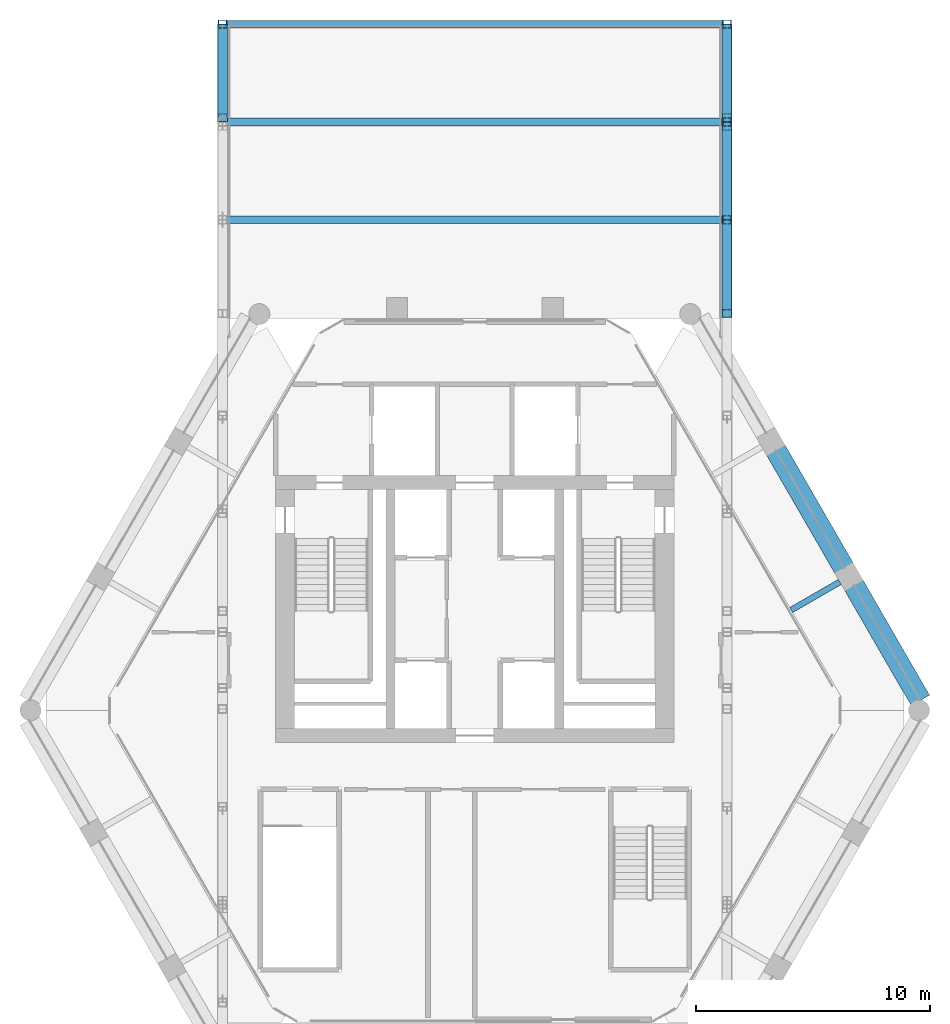
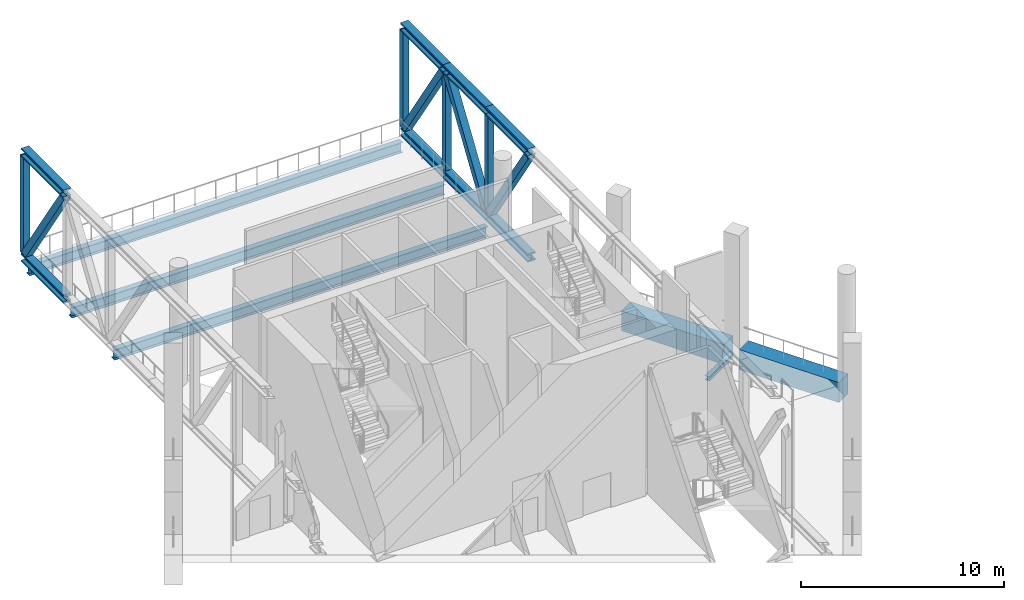
# One storey, part 4 of 14: 16 members, 6 beams.
"""IFC4 building model written with IfcOpenShell, lengths in metres."""

from ifc_helpers import new_model, si_unit, direction, frame, origin, origin_2d, place, context, subcontext, project, spatial, rectangle, hollow_rectangle, i_section, extrude, material, material_profile, profile_set, type_object, element, save


model = new_model("IFC4")

# Units and contexts
model_context = context("Model", 3, precision=1e-05, world=origin(), true_north=direction((0.0, 1.0)))
body_context = subcontext(model_context, "Body", "Model", "MODEL_VIEW")
ifc_project = project(units=[si_unit("LENGTHUNIT", "METRE"), si_unit("AREAUNIT", "SQUARE_METRE"), si_unit("VOLUMEUNIT", "CUBIC_METRE"), si_unit("PLANEANGLEUNIT", "RADIAN"), si_unit("MASSUNIT", "GRAM", prefix="KILO")], contexts=[model_context])

# Site, building, storey
site_placement = place(None, origin())
site = spatial("IfcSite", under=ifc_project, at=site_placement, CompositionType="ELEMENT")
building_placement = place(site_placement, origin())
building = spatial("IfcBuilding", under=site, at=building_placement, Name="Ostrander Bayou Hotel Tower", CompositionType="ELEMENT")
storey_placement = place(building_placement, frame((0.0, 0.0, 237.0)))
storey = spatial("IfcBuildingStorey", under=building, at=storey_placement, Name="L59", CompositionType="ELEMENT", Elevation=237.0)

# Beams
ifc_material_1 = material(Name="Steel ASTM A992", Category="steel")
ifc_material_profile_1 = material_profile(ifc_material_1, i_section(OverallWidth=0.25390625, OverallDepth=0.25341796875, WebThickness=0.008544921875, FlangeThickness=0.01416015625, at=origin_2d()))
ifc_profile_set_1 = profile_set([ifc_material_profile_1], Name="Steel ASTM A992")
beam_type_1 = type_object("IfcBeamType", Name="LB2 loggia bracket W10x49", PredefinedType="BEAM", material=ifc_profile_set_1)
beam_1_placement = place(storey_placement, frame((15.583984375, 5.153076171875, -0.4267578125), z_axis=(-0.865980596518, -0.500077600433, 0.0), x_axis=(0.500077600433, -0.865980596518, 0.0)))
element("IfcBeam", 1, at=beam_1_placement, inside=storey, type_object=beam_type_1, Name="LB2 L59 NE1", PredefinedType="BEAM", context=body_context, shape_type="SweptSolid", body=[
    extrude(i_section(OverallWidth=0.25390625, OverallDepth=0.25341796875, WebThickness=0.008544921875, FlangeThickness=0.01416015625, at=origin_2d()), origin(), (0.0, 0.0, 1.0), 2.39990234375),
])
ifc_material_2 = material(Name="Concrete f'c 60 MPa", Category="concrete")
ifc_material_profile_2 = material_profile(ifc_material_2, rectangle(XDim=0.89990234375, YDim=1.199951171875, at=origin_2d()))
ifc_profile_set_2 = profile_set([ifc_material_profile_2], Name="Concrete f'c 60 MPa")
beam_type_2 = type_object("IfcBeamType", Name="SP4 spandrel beam 900 x 1200 mm f'c 60 MPa", PredefinedType="SPANDREL", material=ifc_profile_set_2)
beam_2_placement = place(storey_placement, frame((19.024169921875, 0.0947265625, -0.60009765625), z_axis=(-0.499994028088, 0.866028851642, 0.0), x_axis=(-0.866028851642, -0.499994028088, 0.0)))
element("IfcBeam", 2, at=beam_2_placement, inside=storey, type_object=beam_type_2, Name="SP4 L59 NE-1", PredefinedType="SPANDREL", context=body_context, shape_type="SweptSolid", body=[
    extrude(rectangle(XDim=0.89990234375, YDim=1.199951171875, at=origin_2d()), origin(), (0.0, 0.0, 1.0), 5.6806640625),
])
beam_3_placement = place(storey_placement, frame((15.763916015625, 5.74169921875, -0.60009765625), z_axis=(-0.499997265274, 0.866026982673, 0.0), x_axis=(-0.866026982673, -0.499997265274, 0.0)))
element("IfcBeam", 3, at=beam_3_placement, inside=storey, type_object=beam_type_2, Name="SP4 L59 NE-2", PredefinedType="SPANDREL", context=body_context, shape_type="SweptSolid", body=[
    extrude(rectangle(XDim=0.89990234375, YDim=1.199951171875, at=origin_2d()), origin(), (0.0, 0.0, 1.0), 5.81884765625),
])
ifc_material_3 = material(Name="Steel ASTM A992", Category="steel")
ifc_material_profile_3 = material_profile(ifc_material_3, i_section(OverallWidth=0.32373046875, OverallDepth=0.611083984375, WebThickness=0.0126953125, FlangeThickness=0.01904296875, at=origin_2d()))
ifc_profile_set_3 = profile_set([ifc_material_profile_3], Name="Steel ASTM A992")
beam_type_3 = type_object("IfcBeamType", Name="TF2 bar floor beam W24x104", PredefinedType="BEAM", material=ifc_profile_set_3)
for number, where, z_axis, x_axis, name in (
    (4, (-10.587158203125, 28.966552734375, -0.605712890625), (1.0, 0.0, 0.0), (0.0, 1.0, 0.0), "TF2 SB5W L5-1"),
    (5, (-10.587158203125, 24.790283203125, -0.605712890625), (1.0, 0.0, 0.0), (0.0, 1.0, 0.0), "TF2 SB5W L5-2"),
    (6, (-10.587158203125, 20.6142578125, -0.605712890625), (1.0, 0.0, 0.0), (0.0, 1.0, 0.0), "TF2 SB5W L5-3"),
):
    element("IfcBeam", number, at=place(storey_placement, frame(where, z_axis=z_axis, x_axis=x_axis)), inside=storey, type_object=beam_type_3, Name=name, PredefinedType="BEAM", context=body_context, shape_type="SweptSolid", body=[
        extrude(i_section(OverallWidth=0.32373046875, OverallDepth=0.611083984375, WebThickness=0.0126953125, FlangeThickness=0.01904296875, at=origin_2d()), origin(), (0.0, 0.0, 1.0), 21.17431640625),
    ])

# Members
ifc_material_4 = material(Name="Steel ASTM A992", Category="steel")
ifc_material_profile_4 = material_profile(ifc_material_4, i_section(OverallWidth=0.43212890625, OverallDepth=0.497802734375, WebThickness=0.0556640625, FlangeThickness=0.0888671875, at=origin_2d()))
ifc_profile_set_4 = profile_set([ifc_material_profile_4], Name="Steel ASTM A992")
member_type_1 = type_object("IfcMemberType", Name="TT1 through-truss chord W14x500", PredefinedType="CHORD", material=ifc_profile_set_4)
for number, where, z_axis, x_axis, name in (
    (7, (-10.764892578125, 28.966552734375, 0.248779296875), (0.0, -1.0, 0.0), (1.0, 0.0, 0.0), "TT1 SB5A B1"),
    (8, (-10.764892578125, 28.966552734375, 6.551025390625), (0.0, -1.0, 0.0), (1.0, 0.0, 0.0), "TT1 SB5A T1"),
    (9, (10.764892578125, 28.966552734375, 0.248779296875), (0.0, -1.0, 0.0), (1.0, 0.0, 0.0), "TT1 SB5B B1"),
    (10, (10.764892578125, 28.966552734375, 6.551025390625), (0.0, -1.0, 0.0), (1.0, 0.0, 0.0), "TT1 SB5B T1"),
):
    element("IfcMember", number, at=place(storey_placement, frame(where, z_axis=z_axis, x_axis=x_axis)), inside=storey, type_object=member_type_1, Name=name, PredefinedType="CHORD", context=body_context, shape_type="SweptSolid", body=[
        extrude(i_section(OverallWidth=0.43212890625, OverallDepth=0.497802734375, WebThickness=0.0556640625, FlangeThickness=0.0888671875, at=origin_2d()), origin(), (0.0, 0.0, 1.0), 4.17626953125),
    ])
for number, where, z_axis, x_axis, name in (
    (11, (10.764892578125, 24.790283203125, 0.248779296875), (0.0, -1.0, 0.0), (1.0, 0.0, 0.0), "TT1 SB5B B2"),
    (12, (10.764892578125, 24.790283203125, 6.551025390625), (0.0, -1.0, 0.0), (1.0, 0.0, 0.0), "TT1 SB5B T2"),
):
    element("IfcMember", number, at=place(storey_placement, frame(where, z_axis=z_axis, x_axis=x_axis)), inside=storey, type_object=member_type_1, Name=name, PredefinedType="CHORD", context=body_context, shape_type="SweptSolid", body=[
        extrude(i_section(OverallWidth=0.43212890625, OverallDepth=0.497802734375, WebThickness=0.0556640625, FlangeThickness=0.0888671875, at=origin_2d()), origin(), (0.0, 0.0, 1.0), 4.176025390625),
    ])
for number, where, z_axis, x_axis, name in (
    (13, (10.764892578125, 20.6142578125, 0.248779296875), (0.0, -1.0, 0.0), (1.0, 0.0, 0.0), "TT1 SB5B B3"),
    (14, (10.764892578125, 20.6142578125, 6.551025390625), (0.0, -1.0, 0.0), (1.0, 0.0, 0.0), "TT1 SB5B T3"),
):
    element("IfcMember", number, at=place(storey_placement, frame(where, z_axis=z_axis, x_axis=x_axis)), inside=storey, type_object=member_type_1, Name=name, PredefinedType="CHORD", context=body_context, shape_type="SweptSolid", body=[
        extrude(i_section(OverallWidth=0.43212890625, OverallDepth=0.497802734375, WebThickness=0.0556640625, FlangeThickness=0.0888671875, at=origin_2d()), origin(), (0.0, 0.0, 1.0), 4.17626953125),
    ])
ifc_material_5 = material(Name="Steel ASTM A500 Gr C", Category="steel")
ifc_material_profile_5 = material_profile(ifc_material_5, hollow_rectangle(XDim=0.355712890625, YDim=0.355712890625, WallThickness=0.0146484375, at=origin_2d()))
ifc_profile_set_5 = profile_set([ifc_material_profile_5], Name="Steel ASTM A500 Gr C")
member_type_2 = type_object("IfcMemberType", Name="TT2 through-truss post HSS14x14x5/8", PredefinedType="POST", material=ifc_profile_set_5)
for number, where, z_axis, x_axis, name in (
    (15, (-10.764892578125, 28.966552734375, 0.497802734375), (0.0, 0.0, 1.0), (1.0, 0.0, 0.0), "TT2 SB5A P1"),
    (16, (10.764892578125, 28.966552734375, 0.497802734375), (0.0, 0.0, 1.0), (1.0, 0.0, 0.0), "TT2 SB5B P1"),
    (17, (10.764892578125, 24.790283203125, 0.497802734375), (0.0, 0.0, 1.0), (1.0, 0.0, 0.0), "TT2 SB5B P2"),
    (18, (10.764892578125, 20.6142578125, 0.497802734375), (0.0, 0.0, 1.0), (1.0, 0.0, 0.0), "TT2 SB5B P3"),
):
    element("IfcMember", number, at=place(storey_placement, frame(where, z_axis=z_axis, x_axis=x_axis)), inside=storey, type_object=member_type_2, Name=name, PredefinedType="POST", context=body_context, shape_type="SweptSolid", body=[
        extrude(hollow_rectangle(XDim=0.355712890625, YDim=0.355712890625, WallThickness=0.0146484375, at=origin_2d()), origin(), (0.0, 0.0, 1.0), 5.804443359375),
    ])
ifc_material_6 = material(Name="Steel ASTM A572 Gr 50", Category="steel")
ifc_material_profile_6 = material_profile(ifc_material_6, hollow_rectangle(XDim=0.406494140625, YDim=0.406494140625, WallThickness=0.017822265625, at=origin_2d()))
ifc_profile_set_6 = profile_set([ifc_material_profile_6], Name="Steel ASTM A572 Gr 50")
member_type_3 = type_object("IfcMemberType", Name="TT3 through-truss diagonal box 16 x 16 x 3/4", PredefinedType="BRACE", material=ifc_profile_set_6)
for number, where, z_axis, x_axis, name in (
    (19, (-10.764892578125, 28.788818359375, 0.497802734375), (0.0, -0.549801680933, 0.835295224243), (1.0, 0.0, 0.0), "TT3 SB5A D1"),
    (20, (10.764892578125, 28.788818359375, 0.497802734375), (0.0, -0.549801680933, 0.835295224243), (1.0, 0.0, 0.0), "TT3 SB5B D1"),
    (21, (10.764892578125, 20.7919921875, 0.497802734375), (0.0, 0.549801680933, 0.835295224243), (-1.0, 0.0, 0.0), "TT3 SB5B D2"),
    (22, (10.764892578125, 20.436279296875, 0.497802734375), (0.0, -0.549801680933, 0.835295224243), (1.0, 0.0, 0.0), "TT3 SB5B D3"),
):
    element("IfcMember", number, at=place(storey_placement, frame(where, z_axis=z_axis, x_axis=x_axis)), inside=storey, type_object=member_type_3, Name=name, PredefinedType="BRACE", context=body_context, shape_type="SweptSolid", body=[
        extrude(hollow_rectangle(XDim=0.406494140625, YDim=0.406494140625, WallThickness=0.017822265625, at=origin_2d()), origin(), (0.0, 0.0, 1.0), 6.948974609375),
    ])

save(model, "model.ifc")
